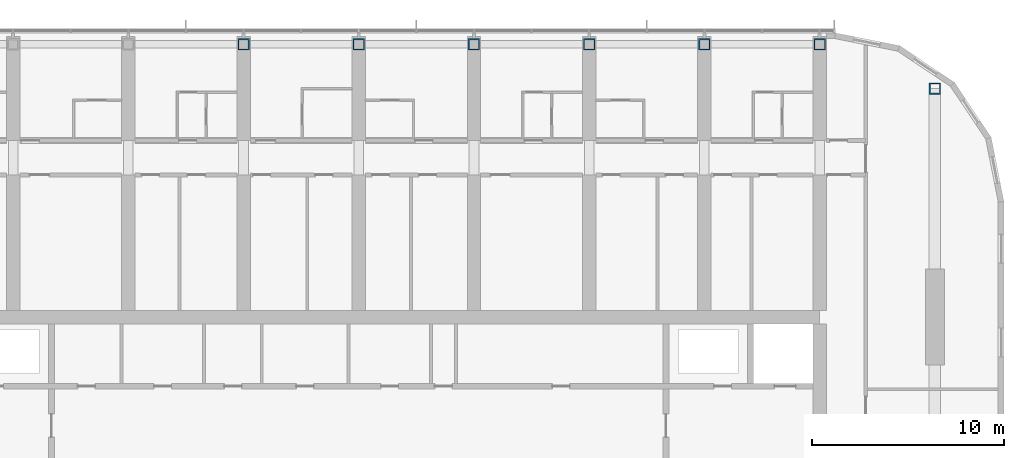
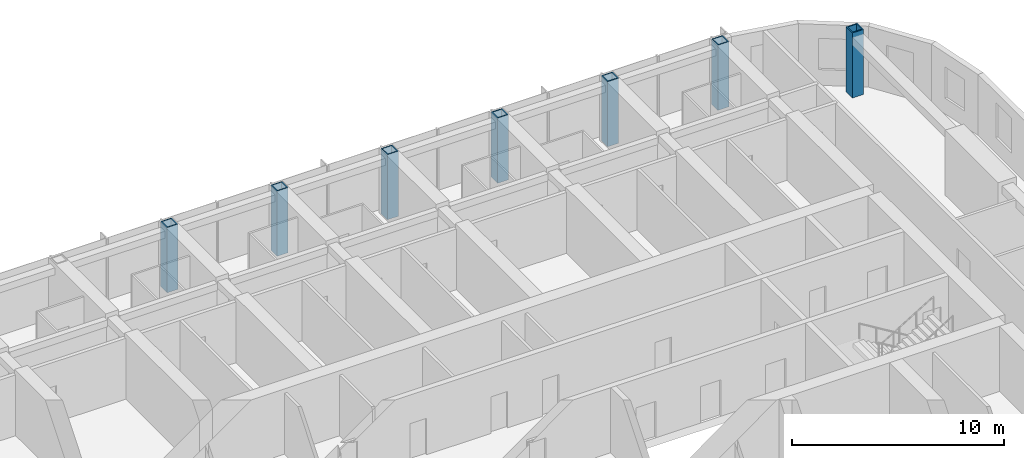
# One storey, part 3 of 26: 7 columns.
"""IFC4 building model written with IfcOpenShell, lengths in metres."""

import ifcopenshell
import ifcopenshell.guid

model = None  # the IFC model being written
_history = None  # IfcOwnerHistory: only IFC2X3 demands one
_inside = {}  # id of a spatial element -> (the spatial element, [elements in it])
_under = {}  # id of a project, library or spatial element -> (it, [spatial elements below it])
_declared = {}  # id of a project -> (the project, [libraries it declares])
_typed = {}  # id of a type object -> (the type object, [elements of that type])
_made_of = {}  # id of a material, layer set ... -> (it, [elements and type objects made of it])


def new_model(schema):
    """Start an empty IFC model of exactly this schema.

    Asked for "IFC4X3", IfcOpenShell would pick the latest addendum, in which some entities
    have other attributes; the version numbers below select the first issue.
    IFC2X3 requires an IfcOwnerHistory on every rooted entity: one is made here for all.
    """
    global model, _history
    if schema == "IFC4X3":
        model = ifcopenshell.file(schema_version=(4, 3, 0, 0))
    else:
        model = ifcopenshell.file(schema=schema)
    _inside.clear()
    _under.clear()
    _declared.clear()
    _typed.clear()
    _made_of.clear()
    _history = None
    if model.schema == "IFC2X3":
        org = make("IfcOrganization", Name="unknown")
        user = make(
            "IfcPersonAndOrganization",
            ThePerson=make("IfcPerson", FamilyName="unknown"),
            TheOrganization=org,
        )
        app = make(
            "IfcApplication",
            ApplicationDeveloper=org,
            Version="unknown",
            ApplicationFullName="unknown",
            ApplicationIdentifier="unknown",
        )
        _history = make(
            "IfcOwnerHistory",
            OwningUser=user,
            OwningApplication=app,
            ChangeAction="ADDED",
            CreationDate=0,
        )
    return model


def make(cls, **values):
    """One entity of the class cls with the attributes given. An attribute that is None is left unset."""
    return model.create_entity(
        cls, **{name: value for name, value in values.items() if value is not None}
    )


def rooted(cls, **values):
    """An entity with a GlobalId (a new one), such as an element, a storey or a relation."""
    return make(cls, GlobalId=ifcopenshell.guid.new(), OwnerHistory=_history, **values)


def si_unit(unit_type, name, prefix=None):
    """IfcSIUnit, for example si_unit("LENGTHUNIT", "METRE", prefix="MILLI")."""
    return make("IfcSIUnit", UnitType=unit_type, Prefix=prefix, Name=name)


def assignment(units):
    """IfcUnitAssignment: the units of a project."""
    return None if units is None else make("IfcUnitAssignment", Units=units)


def point(xyz):
    """IfcCartesianPoint."""
    return None if xyz is None else make("IfcCartesianPoint", Coordinates=xyz)


def direction(xyz):
    """IfcDirection."""
    return None if xyz is None else make("IfcDirection", DirectionRatios=xyz)


def frame(location, z_axis=None, x_axis=None):
    """IfcAxis2Placement3D, a coordinate frame: its origin and axes. An axis left out is left unset."""
    return make(
        "IfcAxis2Placement3D",
        Location=point(location),
        Axis=direction(z_axis),
        RefDirection=direction(x_axis),
    )


def frame_2d(location, x_axis=None):
    """IfcAxis2Placement2D, a coordinate frame in the plane: its origin and x axis."""
    return make(
        "IfcAxis2Placement2D", Location=point(location), RefDirection=direction(x_axis)
    )


def origin():
    """The frame at (0, 0, 0) with its axes left unset."""
    return frame((0.0, 0.0, 0.0))


def origin_2d():
    """The frame at (0, 0) in the plane with its x axis left unset."""
    return frame_2d((0.0, 0.0))


def place(relative_to, where):
    """IfcLocalPlacement: puts the frame where relative to a parent placement (None: the world)."""
    return make(
        "IfcLocalPlacement", PlacementRelTo=relative_to, RelativePlacement=where
    )


def context(
    kind, dimensions, precision=None, world=None, true_north=None, identifier=None
):
    """IfcGeometricRepresentationContext, for example the 3D "Model" context."""
    return make(
        "IfcGeometricRepresentationContext",
        ContextIdentifier=identifier,
        ContextType=kind,
        CoordinateSpaceDimension=dimensions,
        Precision=precision,
        WorldCoordinateSystem=world,
        TrueNorth=true_north,
    )


def subcontext(parent, identifier, kind, view, scale=None):
    """IfcGeometricRepresentationSubContext, for example "Body" below "Model"."""
    return make(
        "IfcGeometricRepresentationSubContext",
        ContextIdentifier=identifier,
        ContextType=kind,
        ParentContext=parent,
        TargetScale=scale,
        TargetView=view,
    )


def project(units=None, contexts=None):
    """IfcProject with its units and contexts."""
    return rooted(
        "IfcProject",
        Name="project",
        RepresentationContexts=contexts,
        UnitsInContext=assignment(units),
    )


def spatial(cls, under=None, at=None, **own):
    """A site, building, storey or space (cls), placed at a placement, below another one or the project."""
    s = rooted(cls, ObjectPlacement=at, **own)
    if under is not None:
        _under.setdefault(under.id(), (under, []))[1].append(s)
    return s


def profile(cls, at=None, kind="AREA", **sizes):
    """A parametric profile (cls). Its sizes go by their IFC names, for example OverallWidth=200.0."""
    return make(cls, ProfileType=kind, Position=at, **sizes)


def hollow_rectangle(**sizes):
    """IfcRectangleHollowProfileDef."""
    return profile("IfcRectangleHollowProfileDef", **sizes)


def extrude(swept, where, along, depth):
    """IfcExtrudedAreaSolid: the profile swept, set in the frame where, extruded along a direction by depth."""
    return make(
        "IfcExtrudedAreaSolid",
        SweptArea=swept,
        Position=where,
        ExtrudedDirection=direction(along),
        Depth=depth,
    )


def shape(context_of_items, identifier, shape_type, items):
    """IfcShapeRepresentation: the items that make up one representation, for example the "Body"."""
    return make(
        "IfcShapeRepresentation",
        ContextOfItems=context_of_items,
        RepresentationIdentifier=identifier,
        RepresentationType=shape_type,
        Items=items,
    )


def material(Name=None, Category=None):
    """IfcMaterial."""
    return make("IfcMaterial", Name=Name, Category=Category)


def material_profile(
    of_material, cross_section, Name=None, Category=None, Priority=None
):
    """IfcMaterialProfile: a cross section and its material."""
    return make(
        "IfcMaterialProfile",
        Name=Name,
        Material=of_material,
        Profile=cross_section,
        Priority=Priority,
        Category=Category,
    )


def profile_set(profiles, Name=None, composite=None):
    """IfcMaterialProfileSet."""
    return make(
        "IfcMaterialProfileSet",
        Name=Name,
        MaterialProfiles=profiles,
        CompositeProfile=composite,
    )


def made_of(thing, what):
    """Note that an element or type object is made of a material, layer set ...; save() writes the relation."""
    if what is not None:
        _made_of.setdefault(what.id(), (what, []))[1].append(thing)
    return thing


def type_object(cls, material=None, **own):
    """A type object (cls), such as IfcWallType, which elements share."""
    return made_of(rooted(cls, **own), material)


def element(
    cls,
    number,
    at=None,
    inside=None,
    cuts=None,
    type_object=None,
    material=None,
    context=None,
    identifier="Body",
    shape_type=None,
    held_by="IfcProductDefinitionShape",
    body=None,
    shapes=None,
    **own,
):
    """One element of the class cls, such as IfcWall. Its Tag is "e" and its number.

    at: its placement. inside: the storey or other place that contains it. cuts: it is an
    opening in that element (IfcRelVoidsElement). A single representation is given by context,
    identifier, shape_type and body (its items); several are given by shapes. held_by: the class
    of the entity that holds the representations. save() writes the other relations.
    """
    e = rooted(cls, Tag="e%d" % number, ObjectPlacement=at, **own)
    if body is not None:
        shapes = [shape(context, identifier, shape_type, body)]
    if shapes is not None:
        e.Representation = make(held_by, Representations=shapes)
    if inside is not None:
        _inside.setdefault(inside.id(), (inside, []))[1].append(e)
    if cuts is not None:
        rooted(
            "IfcRelVoidsElement", RelatingBuildingElement=cuts, RelatedOpeningElement=e
        )
    if type_object is not None:
        _typed.setdefault(type_object.id(), (type_object, []))[1].append(e)
    return made_of(e, material)


def aggregate(whole, parts):
    """IfcRelAggregates: a whole, such as a stair, and the parts it consists of."""
    return rooted("IfcRelAggregates", RelatingObject=whole, RelatedObjects=parts)


def save(model, path):
    """Write the relations noted so far, then the file.

    IfcRelAggregates (storeys below a building ...), IfcRelContainedInSpatialStructure (elements
    in a storey), IfcRelDefinesByType, IfcRelAssociatesMaterial and IfcRelDeclares: one each for
    every whole, place, type object, material and project.
    """
    for whole, parts in _under.values():
        aggregate(whole, parts)
    for where, things in _inside.values():
        rooted(
            "IfcRelContainedInSpatialStructure",
            RelatedElements=things,
            RelatingStructure=where,
        )
    for kind, things in _typed.values():
        rooted("IfcRelDefinesByType", RelatedObjects=things, RelatingType=kind)
    for what, things in _made_of.values():
        rooted("IfcRelAssociatesMaterial", RelatedObjects=things, RelatingMaterial=what)
    for by, libraries in _declared.values():
        rooted("IfcRelDeclares", RelatingContext=by, RelatedDefinitions=libraries)
    model.write(path)


model = new_model("IFC4")

# Units and contexts
model_context = context("Model", 3, precision=1e-05, world=origin(), true_north=direction((0.0, 1.0)))
body_context = subcontext(model_context, "Body", "Model", "MODEL_VIEW")
ifc_project = project(units=[si_unit("LENGTHUNIT", "METRE"), si_unit("AREAUNIT", "SQUARE_METRE"), si_unit("VOLUMEUNIT", "CUBIC_METRE"), si_unit("PLANEANGLEUNIT", "RADIAN"), si_unit("MASSUNIT", "GRAM", prefix="KILO")], contexts=[model_context])

# Site, building, storey
site_placement = place(None, origin())
site = spatial("IfcSite", under=ifc_project, at=site_placement, CompositionType="ELEMENT")
building_placement = place(site_placement, origin())
building = spatial("IfcBuilding", under=site, at=building_placement, Name="Orbita Commons", CompositionType="ELEMENT")
storey_placement = place(building_placement, frame((0.0, 0.0, 231.550048828125)))
storey = spatial("IfcBuildingStorey", under=building, at=storey_placement, Name="L57", CompositionType="ELEMENT", Elevation=231.550048828125)

# Columns
ifc_material = material(Name="Steel ASTM A572 Gr 50 welded plate", Category="steel")
ifc_material_profile = material_profile(ifc_material, hollow_rectangle(XDim=0.60009765625, YDim=0.60009765625, WallThickness=0.06005859375, at=origin_2d()), Name="BOX 600x600x60")
ifc_profile_set = profile_set([ifc_material_profile], Name="Steel ASTM A572 Gr 50 welded plate")
column_type = type_object("IfcColumnType", Name="Steel column BOX 600x600x60", PredefinedType="COLUMN", material=ifc_profile_set)
for number, where, z_axis, x_axis, name in (
    (1, (36.0, 52.39990234375, 0.0), (0.0, 0.0, 1.0), (1.0, 0.0, 0.0), "Column 7/E L57"),
    (2, (42.0, 52.39990234375, 0.0), (0.0, 0.0, 1.0), (1.0, 0.0, 0.0), "Column 8/E L57"),
    (3, (48.0, 52.39990234375, 0.0), (0.0, 0.0, 1.0), (1.0, 0.0, 0.0), "Column 9/E L57"),
    (4, (54.0, 52.39990234375, 0.0), (0.0, 0.0, 1.0), (1.0, 0.0, 0.0), "Column 10/E L57"),
    (5, (60.0, 52.39990234375, 0.0), (0.0, 0.0, 1.0), (1.0, 0.0, 0.0), "Column 11/E L57"),
    (6, (66.0, 52.39990234375, 0.0), (0.0, 0.0, 1.0), (1.0, 0.0, 0.0), "Column 12/E L57"),
    (7, (72.0, 50.10009765625, 0.0), (0.0, 0.0, 1.0), (1.0, 0.0, 0.0), "Column 13/50.1 L57"),
):
    element("IfcColumn", number, at=place(storey_placement, frame(where, z_axis=z_axis, x_axis=x_axis)), inside=storey, type_object=column_type, Name=name, PredefinedType="COLUMN", context=body_context, shape_type="SweptSolid", body=[
        extrude(hollow_rectangle(XDim=0.60009765625, YDim=0.60009765625, WallThickness=0.06005859375, at=origin_2d()), origin(), (0.0, 0.0, 1.0), 3.75),
    ])

save(model, "model.ifc")
